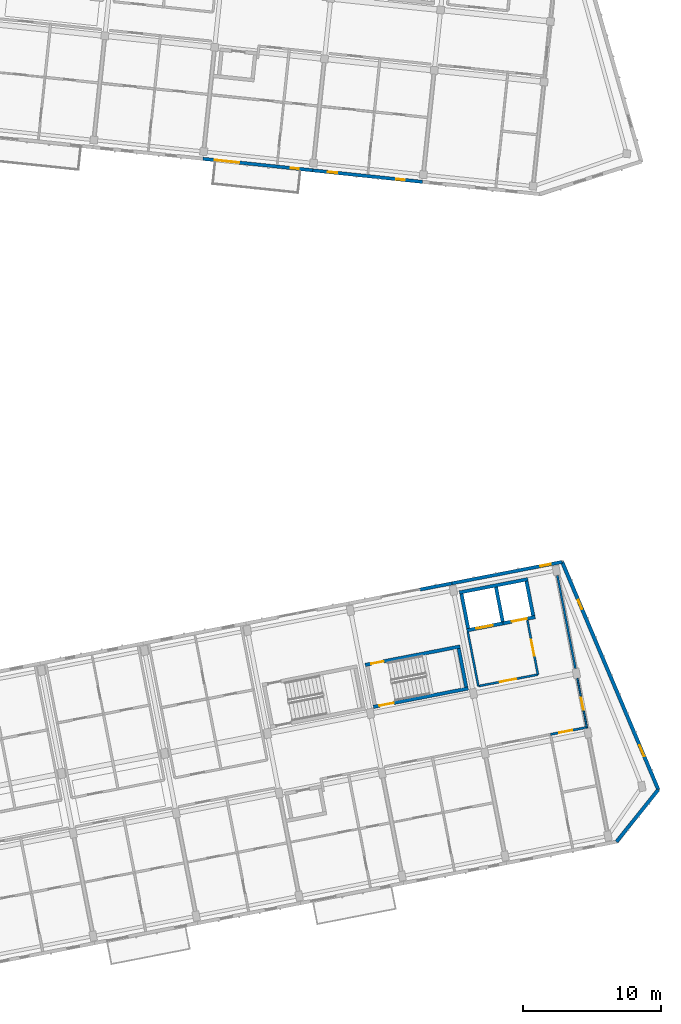
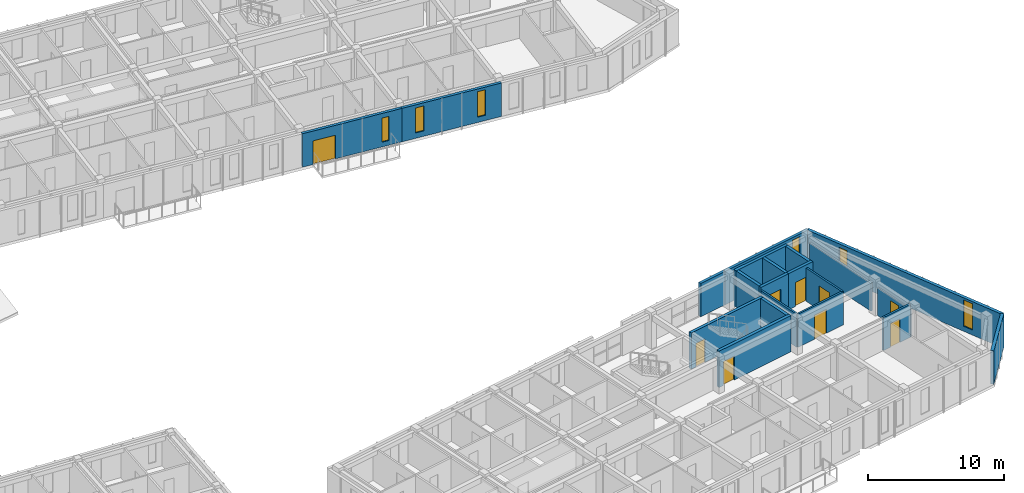
# One storey, part 33 of 74: 21 walls, 9 doors, 6 windows, 15 openings.
"""IFC4 building model written with IfcOpenShell, lengths in metres."""

from ifc_helpers import new_model, si_unit, direction, frame, frame_2d, origin, place, context, subcontext, project, spatial, rectangle, extrude, material, layer, layer_set, type_object, element, fill, save


model = new_model("IFC4")

# Units and contexts
model_context = context("Model", 3, precision=1e-05, world=origin(), true_north=direction((0.0, 1.0)))
body_context = subcontext(model_context, "Body", "Model", "MODEL_VIEW")
ifc_project = project(units=[si_unit("LENGTHUNIT", "METRE"), si_unit("AREAUNIT", "SQUARE_METRE"), si_unit("VOLUMEUNIT", "CUBIC_METRE"), si_unit("PLANEANGLEUNIT", "RADIAN"), si_unit("MASSUNIT", "GRAM", prefix="KILO")], contexts=[model_context])

# Site, building, storey
site_placement = place(None, origin())
site = spatial("IfcSite", under=ifc_project, at=site_placement, CompositionType="ELEMENT")
building_placement = place(site_placement, origin())
building = spatial("IfcBuilding", under=site, at=building_placement, Name="Kestramere Prow Commons", CompositionType="ELEMENT")
storey_placement = place(building_placement, frame((0.0, 0.0, 11.64990234375)))
storey = spatial("IfcBuildingStorey", under=building, at=storey_placement, Name="L03", CompositionType="ELEMENT", Elevation=11.64990234375)

# Wall, openings, windows
ifc_material_1 = material(Name="Weathered Zinc-Titanium Standing-Seam Cladding")
ifc_layer_1 = layer(ifc_material_1, 0.260009765625)
ifc_layer_set_1 = layer_set([ifc_layer_1], Name="Weathered Zinc-Titanium Standing-Seam Cladding")
wall_type_1 = type_object("IfcWallType", Name="EW-PROW-260", PredefinedType="SOLIDWALL", material=ifc_layer_set_1)
wall_1_placement = place(storey_placement, frame((159.83740234375, 62.556396484375, 0.0), z_axis=(0.0, 0.0, 1.0), x_axis=(0.389225507936, -0.921142499276, 0.0)))
wall_1 = element("IfcWall", 1, at=wall_1_placement, inside=storey, type_object=wall_type_1, Name="Block D L03 PRW-N Facet Wall", PredefinedType="SOLIDWALL", context=body_context, shape_type="SweptSolid", body=[
    extrude(rectangle(XDim=17.910400390625, YDim=0.260009765625, at=frame_2d((8.955078125, 0.0))), origin(), (0.0, 0.0, 1.0), 3.0),
])
opening_1_placement = place(wall_1_placement, frame((2.989990234375, 0.0, 0.52001953125)))
opening_1 = element("IfcOpeningElement", 2, at=opening_1_placement, cuts=wall_1, Name="Opening WN-08", PredefinedType="OPENING", context=body_context, shape_type="SweptSolid", body=[
    extrude(rectangle(XDim=0.719970703125, YDim=2.159912109375, at=frame_2d((0.35986328125, 1.080078125))), frame((0.0, 0.14501953125, 0.0), z_axis=(0.0, -1.0, 0.0), x_axis=(1.0, 0.0, 0.0)), (0.0, 0.0, 1.0), 0.2900390625),
])
opening_2_placement = place(wall_1_placement, frame((14.42041015625, 0.0, 0.449951171875)))
opening_2 = element("IfcOpeningElement", 3, at=opening_2_placement, cuts=wall_1, Name="Opening WN-15", PredefinedType="OPENING", context=body_context, shape_type="SweptSolid", body=[
    extrude(rectangle(XDim=0.860107421875, YDim=2.360107421875, at=frame_2d((0.43017578125, 1.18017578125))), frame((0.0, 0.14501953125, 0.0), z_axis=(0.0, -1.0, 0.0), x_axis=(1.0, 0.0, 0.0)), (0.0, 0.0, 1.0), 0.2900390625),
])
ifc_material_2 = material(Name="Low-E Laminated Double Glazing", Category="glass")
window_type_1 = type_object("IfcWindowType", Name="WN-NAR-720A", PartitioningType="SINGLE_PANEL", PredefinedType="WINDOW", material=ifc_material_2)
window_1_placement = place(opening_1_placement, origin())
window_1 = element("IfcWindow", 4, at=window_1_placement, inside=storey, type_object=window_type_1, Name="WN-D-L03-PRW-N-0", OverallHeight=2.159912109375, OverallWidth=0.719970703125, PartitioningType="SINGLE_PANEL", PredefinedType="WINDOW", context=body_context, shape_type="SweptSolid", body=[
    extrude(rectangle(XDim=0.719970703125, YDim=2.159912109375, at=frame_2d((0.35986328125, 1.080078125))), frame((0.0, 0.030029296875, 0.0), z_axis=(0.0, -1.0, 0.0), x_axis=(1.0, 0.0, 0.0)), (0.0, 0.0, 1.0), 0.06005859375),
])
fill(opening_1, window_1)
window_type_2 = type_object("IfcWindowType", Name="WN-NAR-860A", PartitioningType="DOUBLE_PANEL_VERTICAL", PredefinedType="WINDOW", material=ifc_material_2)
window_2_placement = place(opening_2_placement, origin())
window_2 = element("IfcWindow", 5, at=window_2_placement, inside=storey, type_object=window_type_2, Name="WN-D-L03-PRW-N-1", OverallHeight=2.360107421875, OverallWidth=0.860107421875, PartitioningType="SINGLE_PANEL", PredefinedType="WINDOW", context=body_context, shape_type="SweptSolid", body=[
    extrude(rectangle(XDim=0.860107421875, YDim=2.360107421875, at=frame_2d((0.43017578125, 1.18017578125))), frame((0.0, 0.030029296875, 0.0), z_axis=(0.0, -1.0, 0.0), x_axis=(1.0, 0.0, 0.0)), (0.0, 0.0, 1.0), 0.06005859375),
])
fill(opening_2, window_2)

# Wall
wall_2_placement = place(storey_placement, frame((166.80859375, 46.058349609375, 0.0), z_axis=(0.0, 0.0, 1.0), x_axis=(-0.626281072923, -0.779597343312, 0.0)))
element("IfcWall", 6, at=wall_2_placement, inside=storey, type_object=wall_type_1, Name="Block D L03 PRW-S Facet Wall", PredefinedType="SOLIDWALL", context=body_context, shape_type="SweptSolid", body=[
    extrude(rectangle(XDim=4.83935546875, YDim=0.260009765625, at=frame_2d((2.419677734375, 0.0))), origin(), (0.0, 0.0, 1.0), 3.0),
])

# Wall, openings, door, window
ifc_material_3 = material(Name="Fluoropolymer Standing-Seam Zinc-Aluminium Cladding", Category="aluminium")
ifc_layer_2 = layer(ifc_material_3, 0.239990234375)
ifc_layer_set_2 = layer_set([ifc_layer_2], Name="Fluoropolymer Standing-Seam Zinc-Aluminium Cladding")
wall_type_2 = type_object("IfcWallType", Name="EW-SEAM-240", PredefinedType="SOLIDWALL", material=ifc_layer_set_2)
wall_3_placement = place(storey_placement, frame((141.769775390625, 90.932861328125, 0.0), z_axis=(0.0, 0.0, 1.0), x_axis=(-0.994519156568, 0.104554517933, 0.0)))
wall_3 = element("IfcWall", 7, at=wall_3_placement, inside=storey, type_object=wall_type_2, Name="Block B L03 South Standing-Seam Wall 4", PredefinedType="SOLIDWALL", context=body_context, shape_type="SweptSolid", body=[
    extrude(rectangle(XDim=8.0, YDim=0.239990234375, at=frame_2d((4.0, 0.0))), origin(), (0.0, 0.0, 1.0), 3.0),
])
opening_3_placement = place(wall_3_placement, frame((5.344970703125, 0.0, 0.0)))
opening_3 = element("IfcOpeningElement", 8, at=opening_3_placement, cuts=wall_3, Name="Opening GD-BAL-02", PredefinedType="OPENING", context=body_context, shape_type="SweptSolid", body=[
    extrude(rectangle(XDim=1.800048828125, YDim=2.1201171875, at=frame_2d((0.89990234375, 1.06005859375))), frame((0.0, 0.135009765625, 0.0), z_axis=(0.0, -1.0, 0.0), x_axis=(1.0, 0.0, 0.0)), (0.0, 0.0, 1.0), 0.27001953125),
])
opening_4_placement = place(wall_3_placement, frame((1.030029296875, 0.0, 0.419921875)))
opening_4 = element("IfcOpeningElement", 9, at=opening_4_placement, cuts=wall_3, Name="Opening WN-01", PredefinedType="OPENING", context=body_context, shape_type="SweptSolid", body=[
    extrude(rectangle(XDim=0.580078125, YDim=2.159912109375, at=frame_2d((0.2900390625, 1.080078125))), frame((0.0, 0.135009765625, 0.0), z_axis=(0.0, -1.0, 0.0), x_axis=(1.0, 0.0, 0.0)), (0.0, 0.0, 1.0), 0.27001953125),
])
ifc_material_4 = material(Name="Thermally-Broken Anodised Aluminium Glazed", Category="aluminium")
door_type_1 = type_object("IfcDoorType", Name="GD-BAL-1800", OperationType="SLIDING_TO_LEFT", PredefinedType="DOOR", material=ifc_material_4)
door_1_placement = place(opening_3_placement, origin())
door_1 = element("IfcDoor", 10, at=door_1_placement, inside=storey, type_object=door_type_1, Name="Block B L03 Balcony Door 4", OperationType="SLIDING_TO_LEFT", OverallHeight=2.1201171875, OverallWidth=1.800048828125, PredefinedType="DOOR", context=body_context, shape_type="SweptSolid", body=[
    extrude(rectangle(XDim=1.800048828125, YDim=2.1201171875, at=frame_2d((0.89990234375, 1.06005859375))), frame((0.0, 0.02490234375, 0.0), z_axis=(0.0, -1.0, 0.0), x_axis=(1.0, 0.0, 0.0)), (0.0, 0.0, 1.0), 0.050048828125),
])
fill(opening_3, door_1)
window_type_3 = type_object("IfcWindowType", Name="WN-NAR-580A", PartitioningType="SINGLE_PANEL", PredefinedType="WINDOW", material=ifc_material_2)
window_3_placement = place(opening_4_placement, origin())
window_3 = element("IfcWindow", 11, at=window_3_placement, inside=storey, type_object=window_type_3, Name="WN-B-L03-SR-3", OverallHeight=2.159912109375, OverallWidth=0.580078125, PartitioningType="SINGLE_PANEL", PredefinedType="WINDOW", context=body_context, shape_type="SweptSolid", body=[
    extrude(rectangle(XDim=0.580078125, YDim=2.159912109375, at=frame_2d((0.2900390625, 1.080078125))), frame((0.0, 0.030029296875, 0.0), z_axis=(0.0, -1.0, 0.0), x_axis=(1.0, 0.0, 0.0)), (0.0, 0.0, 1.0), 0.06005859375),
])
fill(opening_4, window_3)

# Wall, openings, windows
wall_4_placement = place(storey_placement, frame((149.72607421875, 90.0966796875, 0.0), z_axis=(0.0, 0.0, 1.0), x_axis=(-0.994522662826, 0.104521161134, 0.0)))
wall_4 = element("IfcWall", 12, at=wall_4_placement, inside=storey, type_object=wall_type_2, Name="Block B L03 South Standing-Seam Wall 5", PredefinedType="SOLIDWALL", context=body_context, shape_type="SweptSolid", body=[
    extrude(rectangle(XDim=8.0, YDim=0.239990234375, at=frame_2d((4.0, 0.0))), origin(), (0.0, 0.0, 1.0), 3.0),
])
opening_5_placement = place(wall_4_placement, frame((1.3017578125, 0.0, 0.47998046875)))
opening_5 = element("IfcOpeningElement", 13, at=opening_5_placement, cuts=wall_4, Name="Opening WN-03", PredefinedType="OPENING", context=body_context, shape_type="SweptSolid", body=[
    extrude(rectangle(XDim=0.6201171875, YDim=2.280029296875, at=frame_2d((0.31005859375, 1.14013671875))), frame((0.0, 0.135009765625, 0.0), z_axis=(0.0, -1.0, 0.0), x_axis=(1.0, 0.0, 0.0)), (0.0, 0.0, 1.0), 0.27001953125),
])
opening_6_placement = place(wall_4_placement, frame((6.21630859375, 0.0, 0.47998046875)))
opening_6 = element("IfcOpeningElement", 14, at=opening_6_placement, cuts=wall_4, Name="Opening WN-06", PredefinedType="OPENING", context=body_context, shape_type="SweptSolid", body=[
    extrude(rectangle(XDim=0.679931640625, YDim=2.239990234375, at=frame_2d((0.33984375, 1.1201171875))), frame((0.0, 0.135009765625, 0.0), z_axis=(0.0, -1.0, 0.0), x_axis=(1.0, 0.0, 0.0)), (0.0, 0.0, 1.0), 0.27001953125),
])
window_type_4 = type_object("IfcWindowType", Name="WN-NAR-620A", PartitioningType="SINGLE_PANEL", PredefinedType="WINDOW", material=ifc_material_2)
window_4_placement = place(opening_5_placement, origin())
window_4 = element("IfcWindow", 15, at=window_4_placement, inside=storey, type_object=window_type_4, Name="WN-B-L03-S-4-00", OverallHeight=2.280029296875, OverallWidth=0.6201171875, PartitioningType="SINGLE_PANEL", PredefinedType="WINDOW", context=body_context, shape_type="SweptSolid", body=[
    extrude(rectangle(XDim=0.6201171875, YDim=2.280029296875, at=frame_2d((0.31005859375, 1.14013671875))), frame((0.0, 0.030029296875, 0.0), z_axis=(0.0, -1.0, 0.0), x_axis=(1.0, 0.0, 0.0)), (0.0, 0.0, 1.0), 0.06005859375),
])
fill(opening_5, window_4)
window_type_5 = type_object("IfcWindowType", Name="WN-NAR-680A", PartitioningType="SINGLE_PANEL", PredefinedType="WINDOW", material=ifc_material_2)
window_5_placement = place(opening_6_placement, origin())
window_5 = element("IfcWindow", 16, at=window_5_placement, inside=storey, type_object=window_type_5, Name="WN-B-L03-S-4-10", OverallHeight=2.239990234375, OverallWidth=0.679931640625, PartitioningType="SINGLE_PANEL", PredefinedType="WINDOW", context=body_context, shape_type="SweptSolid", body=[
    extrude(rectangle(XDim=0.679931640625, YDim=2.239990234375, at=frame_2d((0.33984375, 1.1201171875))), frame((0.0, 0.030029296875, 0.0), z_axis=(0.0, -1.0, 0.0), x_axis=(1.0, 0.0, 0.0)), (0.0, 0.0, 1.0), 0.06005859375),
])
fill(opening_6, window_5)

# Wall
wall_5_placement = place(storey_placement, frame((149.530517578125, 60.552734375, 0.0), z_axis=(0.0, 0.0, 1.0), x_axis=(0.98161057432, 0.190894422087, 0.0)))
element("IfcWall", 17, at=wall_5_placement, inside=storey, type_object=wall_type_2, Name="Block D L03 North Standing-Seam Pier 5R", PredefinedType="SOLIDWALL", context=body_context, shape_type="SweptSolid", body=[
    extrude(rectangle(XDim=2.375, YDim=0.239990234375, at=frame_2d((1.1875, 0.0))), origin(), (0.0, 0.0, 1.0), 3.0),
])

# Wall, opening, window
wall_6_placement = place(storey_placement, frame((151.86181640625, 61.006103515625, 0.0), z_axis=(0.0, 0.0, 1.0), x_axis=(0.981627273155, 0.190808533872, 0.0)))
wall_6 = element("IfcWall", 18, at=wall_6_placement, inside=storey, type_object=wall_type_2, Name="Block D L03 North Standing-Seam Wall 6", PredefinedType="SOLIDWALL", context=body_context, shape_type="SweptSolid", body=[
    extrude(rectangle(XDim=8.124755859375, YDim=0.239990234375, at=frame_2d((4.0625, 0.0))), origin(), (0.0, 0.0, 1.0), 3.0),
])
opening_7_placement = place(wall_6_placement, frame((6.52490234375, 0.0, 0.449951171875)))
opening_7 = element("IfcOpeningElement", 19, at=opening_7_placement, cuts=wall_6, Name="Opening WN-19", PredefinedType="OPENING", context=body_context, shape_type="SweptSolid", body=[
    extrude(rectangle(XDim=0.75, YDim=2.320068359375, at=frame_2d((0.375, 1.16015625))), frame((0.0, 0.135009765625, 0.0), z_axis=(0.0, -1.0, 0.0), x_axis=(1.0, 0.0, 0.0)), (0.0, 0.0, 1.0), 0.27001953125),
])
window_type_6 = type_object("IfcWindowType", Name="WN-CLER-1800", PartitioningType="SINGLE_PANEL", PredefinedType="WINDOW", material=ifc_material_2)
window_6_placement = place(opening_7_placement, origin())
window_6 = element("IfcWindow", 20, at=window_6_placement, inside=storey, type_object=window_type_6, Name="Block D L03 Core Lobby Slot Window", OverallHeight=2.320068359375, OverallWidth=0.75, PartitioningType="SINGLE_PANEL", PredefinedType="WINDOW", context=body_context, shape_type="SweptSolid", body=[
    extrude(rectangle(XDim=0.75, YDim=2.320068359375, at=frame_2d((0.375, 1.16015625))), frame((0.0, 0.030029296875, 0.0), z_axis=(0.0, -1.0, 0.0), x_axis=(1.0, 0.0, 0.0)), (0.0, 0.0, 1.0), 0.06005859375),
])
fill(opening_7, window_6)

# Wall
ifc_material_5 = material(Name="Concrete C40/50", Category="concrete")
ifc_layer_3 = layer(ifc_material_5, 0.25)
ifc_layer_set_3 = layer_set([ifc_layer_3], Name="Concrete C40/50")
wall_type_3 = type_object("IfcWallType", Name="W-CORE-250", PredefinedType="SHEAR", material=ifc_layer_set_3)
wall_7_placement = place(storey_placement, frame((152.3974609375, 60.34619140625, 0.0), z_axis=(0.0, 0.0, 1.0), x_axis=(0.981635261308, 0.190767433692, 0.0)))
element("IfcWall", 21, at=wall_7_placement, inside=storey, type_object=wall_type_3, Name="Block D L03 Lift Core Back Wall", PredefinedType="SHEAR", context=body_context, shape_type="SweptSolid", body=[
    extrude(rectangle(XDim=5.050048828125, YDim=0.25, at=frame_2d((2.52490234375, 0.0))), origin(), (0.0, 0.0, 1.0), 3.25),
])

# Wall, opening, door
wall_8_placement = place(storey_placement, frame((152.931884765625, 57.59765625, 0.0), z_axis=(0.0, 0.0, 1.0), x_axis=(0.981636759622, 0.190759723627, 0.0)))
wall_8 = element("IfcWall", 22, at=wall_8_placement, inside=storey, type_object=wall_type_3, Name="Block D L03 Fire Lift Shaft Front Wall", PredefinedType="SHEAR", context=body_context, shape_type="SweptSolid", body=[
    extrude(rectangle(XDim=2.6748046875, YDim=0.25, at=frame_2d((1.33740234375, 0.0))), origin(), (0.0, 0.0, 1.0), 3.25),
])
opening_8_placement = place(wall_8_placement, frame((0.719970703125, 0.0, 0.0)))
opening_8 = element("IfcOpeningElement", 23, at=opening_8_placement, cuts=wall_8, Name="Opening LD-02", PredefinedType="OPENING", context=body_context, shape_type="SweptSolid", body=[
    extrude(rectangle(XDim=1.199951171875, YDim=2.199951171875, at=frame_2d((0.60009765625, 1.10009765625))), frame((0.0, 0.139892578125, 0.0), z_axis=(0.0, -1.0, 0.0), x_axis=(1.0, 0.0, 0.0)), (0.0, 0.0, 1.0), 0.280029296875),
])
ifc_material_6 = material(Name="Brushed Stainless Steel 316", Category="steel")
door_type_2 = type_object("IfcDoorType", Name="LD-02", OperationType="DOUBLE_DOOR_SLIDING", PredefinedType="DOOR", material=ifc_material_6)
door_2_placement = place(opening_8_placement, origin())
door_2 = element("IfcDoor", 24, at=door_2_placement, inside=storey, type_object=door_type_2, Name="FL-D1 L03 Lift Landing Door", OperationType="DOUBLE_DOOR_SLIDING", OverallHeight=2.199951171875, OverallWidth=1.199951171875, PredefinedType="DOOR", context=body_context, shape_type="SweptSolid", body=[
    extrude(rectangle(XDim=1.199951171875, YDim=2.199951171875, at=frame_2d((0.60009765625, 1.10009765625))), frame((0.0, 0.02490234375, 0.0), z_axis=(0.0, -1.0, 0.0), x_axis=(1.0, 0.0, 0.0)), (0.0, 0.0, 1.0), 0.050048828125),
])
fill(opening_8, door_2)

wall_9_placement = place(storey_placement, frame((155.5576171875, 58.10791015625, 0.0), z_axis=(0.0, 0.0, 1.0), x_axis=(0.981633573872, 0.190776116556, 0.0)))
wall_9 = element("IfcWall", 25, at=wall_9_placement, inside=storey, type_object=wall_type_3, Name="Block D L03 Passenger Lift Shaft Front Wall", PredefinedType="SHEAR", context=body_context, shape_type="SweptSolid", body=[
    extrude(rectangle(XDim=2.375244140625, YDim=0.25, at=frame_2d((1.1875, 0.0))), origin(), (0.0, 0.0, 1.0), 3.25),
])
opening_9_placement = place(wall_9_placement, frame((0.64990234375, 0.0, 0.0)))
opening_9 = element("IfcOpeningElement", 26, at=opening_9_placement, cuts=wall_9, Name="Opening LD-01", PredefinedType="OPENING", context=body_context, shape_type="SweptSolid", body=[
    extrude(rectangle(XDim=1.10009765625, YDim=2.14990234375, at=frame_2d((0.550048828125, 1.074951171875))), frame((0.0, 0.139892578125, 0.0), z_axis=(0.0, -1.0, 0.0), x_axis=(1.0, 0.0, 0.0)), (0.0, 0.0, 1.0), 0.280029296875),
])
ifc_material_7 = material(Name="Brushed Stainless Steel 304", Category="steel")
door_type_3 = type_object("IfcDoorType", Name="LD-01", OperationType="DOUBLE_DOOR_SLIDING", PredefinedType="DOOR", material=ifc_material_7)
door_3_placement = place(opening_9_placement, origin())
door_3 = element("IfcDoor", 27, at=door_3_placement, inside=storey, type_object=door_type_3, Name="PL-D2 L03 Lift Landing Door", OperationType="DOUBLE_DOOR_SLIDING", OverallHeight=2.14990234375, OverallWidth=1.10009765625, PredefinedType="DOOR", context=body_context, shape_type="SweptSolid", body=[
    extrude(rectangle(XDim=1.10009765625, YDim=2.14990234375, at=frame_2d((0.550048828125, 1.074951171875))), frame((0.0, 0.02490234375, 0.0), z_axis=(0.0, -1.0, 0.0), x_axis=(1.0, 0.0, 0.0)), (0.0, 0.0, 1.0), 0.050048828125),
])
fill(opening_9, door_3)

# Walls
for number, where, z_axis, x_axis, name in (
    (28, (153.03076171875, 57.744140625, 0.0), (0.0, 0.0, 1.0), (-0.190810719655, 0.98162684828, 0.0), "Block D L03 Lift Core Side Wall L"),
    (29, (155.533935546875, 58.230712890625, 0.0), (0.0, 0.0, 1.0), (-0.190810719655, 0.98162684828, 0.0), "Block D L03 Lift Core Side Wall M"),
    (30, (157.742431640625, 58.659912109375, 0.0), (0.0, 0.0, 1.0), (-0.190810719655, 0.98162684828, 0.0), "Block D L03 Lift Core Side Wall R"),
):
    element("IfcWall", number, at=place(storey_placement, frame(where, z_axis=z_axis, x_axis=x_axis)), inside=storey, type_object=wall_type_3, Name=name, PredefinedType="SHEAR", context=body_context, shape_type="SweptSolid", body=[
        extrude(rectangle(XDim=2.550048828125, YDim=0.25, at=frame_2d((1.27490234375, 0.0))), origin(), (0.0, 0.0, 1.0), 3.25),
    ])

# Wall, opening, door
wall_10_placement = place(storey_placement, frame((145.57373046875, 55.09765625, 0.0), z_axis=(0.0, 0.0, 1.0), x_axis=(0.981626097708, 0.19081458094, 0.0)))
wall_10 = element("IfcWall", 31, at=wall_10_placement, inside=storey, type_object=wall_type_3, Name="ST-D2 L03 North Shaft Wall", PredefinedType="SHEAR", context=body_context, shape_type="SweptSolid", body=[
    extrude(rectangle(XDim=7.0, YDim=0.25, at=frame_2d((3.5, 0.0))), origin(), (0.0, 0.0, 1.0), 3.25),
])
opening_10_placement = place(wall_10_placement, frame((0.449951171875, 0.0, 0.0)))
opening_10 = element("IfcOpeningElement", 32, at=opening_10_placement, cuts=wall_10, Name="Opening ID-08", PredefinedType="OPENING", context=body_context, shape_type="SweptSolid", body=[
    extrude(rectangle(XDim=0.89990234375, YDim=2.10009765625, at=frame_2d((0.449951171875, 1.050048828125))), frame((0.0, 0.139892578125, 0.0), z_axis=(0.0, -1.0, 0.0), x_axis=(1.0, 0.0, 0.0)), (0.0, 0.0, 1.0), 0.280029296875),
])
ifc_material_8 = material(Name="Engineered Timber Flush Door", Category="wood")
door_type_4 = type_object("IfcDoorType", Name="D-RM-01", OperationType="NOTDEFINED", PredefinedType="DOOR", material=ifc_material_8)
door_4_placement = place(opening_10_placement, origin())
door_4 = element("IfcDoor", 33, at=door_4_placement, inside=storey, type_object=door_type_4, Name="ST-D2 L03 North Room Door", OperationType="SINGLE_SWING_RIGHT", OverallHeight=2.10009765625, OverallWidth=0.89990234375, PredefinedType="DOOR", context=body_context, shape_type="SweptSolid", body=[
    extrude(rectangle(XDim=0.89990234375, YDim=2.10009765625, at=frame_2d((0.449951171875, 1.050048828125))), frame((0.0, 0.02490234375, 0.0), z_axis=(0.0, -1.0, 0.0), x_axis=(1.0, 0.0, 0.0)), (0.0, 0.0, 1.0), 0.050048828125),
])
fill(opening_10, door_4)

wall_11_placement = place(storey_placement, frame((146.1650390625, 52.054443359375, 0.0), z_axis=(0.0, 0.0, 1.0), x_axis=(0.981627367538, 0.190808048312, 0.0)))
wall_11 = element("IfcWall", 34, at=wall_11_placement, inside=storey, type_object=wall_type_3, Name="ST-D2 L03 Corridor Shaft Wall", PredefinedType="SHEAR", context=body_context, shape_type="SweptSolid", body=[
    extrude(rectangle(XDim=7.000244140625, YDim=0.25, at=frame_2d((3.5, 0.0))), origin(), (0.0, 0.0, 1.0), 3.25),
])
opening_11_placement = place(wall_11_placement, frame((0.449951171875, 0.0, 0.0)))
opening_11 = element("IfcOpeningElement", 35, at=opening_11_placement, cuts=wall_11, Name="Opening ID-01", PredefinedType="OPENING", context=body_context, shape_type="SweptSolid", body=[
    extrude(rectangle(XDim=1.050048828125, YDim=2.14990234375, at=frame_2d((0.52490234375, 1.074951171875))), frame((0.0, 0.139892578125, 0.0), z_axis=(0.0, -1.0, 0.0), x_axis=(1.0, 0.0, 0.0)), (0.0, 0.0, 1.0), 0.280029296875),
])
ifc_material_9 = material(Name="Fire-Rated Timber and Steel Frame", Category="steel")
door_type_5 = type_object("IfcDoorType", Name="FD-ST-01", OperationType="NOTDEFINED", PredefinedType="DOOR", material=ifc_material_9)
door_5_placement = place(opening_11_placement, origin())
door_5 = element("IfcDoor", 36, at=door_5_placement, inside=storey, type_object=door_type_5, Name="ST-D2 L03 Protected Stair Door", OperationType="SINGLE_SWING_RIGHT", OverallHeight=2.14990234375, OverallWidth=1.050048828125, PredefinedType="DOOR", context=body_context, shape_type="SweptSolid", body=[
    extrude(rectangle(XDim=1.050048828125, YDim=2.14990234375, at=frame_2d((0.52490234375, 1.074951171875))), frame((0.0, 0.02490234375, 0.0), z_axis=(0.0, -1.0, 0.0), x_axis=(1.0, 0.0, 0.0)), (0.0, 0.0, 1.0), 0.050048828125),
])
fill(opening_11, door_5)

# Wall
wall_12_placement = place(storey_placement, frame((152.889892578125, 53.489013671875, 0.0), z_axis=(0.0, 0.0, 1.0), x_axis=(-0.190775649797, 0.981633664584, 0.0)))
element("IfcWall", 37, at=wall_12_placement, inside=storey, type_object=wall_type_3, Name="ST-D2 L03 Far Shaft Wall", PredefinedType="SHEAR", context=body_context, shape_type="SweptSolid", body=[
    extrude(rectangle(XDim=2.849853515625, YDim=0.25, at=frame_2d((1.4248046875, 0.0))), origin(), (0.0, 0.0, 1.0), 3.25),
])

# Wall, opening, door
ifc_material_10 = material(Name="Fire-Rated Calcium Silicate Wall")
ifc_layer_4 = layer(ifc_material_10, 0.155029296875)
ifc_layer_set_4 = layer_set([ifc_layer_4], Name="Fire-Rated Calcium Silicate Wall")
wall_type_4 = type_object("IfcWallType", Name="W-FIRE-150", PredefinedType="PARTITIONING", material=ifc_layer_set_4)
wall_13_placement = place(storey_placement, frame((153.76806640625, 53.557861328125, 0.0), z_axis=(0.0, 0.0, 1.0), x_axis=(0.981624918225, 0.190820648566, 0.0)))
wall_13 = element("IfcWall", 38, at=wall_13_placement, inside=storey, type_object=wall_type_4, Name="Interior Partition PW-D-L03-FFL-S", PredefinedType="PARTITIONING", context=body_context, shape_type="SweptSolid", body=[
    extrude(rectangle(XDim=4.39990234375, YDim=0.155029296875, at=frame_2d((2.199951171875, 0.0))), origin(), (0.0, 0.0, 1.0), 2.97021484375),
])
opening_12_placement = place(wall_13_placement, frame((1.60009765625, 0.0, 0.0)))
opening_12 = element("IfcOpeningElement", 39, at=opening_12_placement, cuts=wall_13, Name="Opening ID-03", PredefinedType="OPENING", context=body_context, shape_type="SweptSolid", body=[
    extrude(rectangle(XDim=1.179931640625, YDim=2.14990234375, at=frame_2d((0.58984375, 1.074951171875))), frame((0.0, 0.092529296875, 0.0), z_axis=(0.0, -1.0, 0.0), x_axis=(1.0, 0.0, 0.0)), (0.0, 0.0, 1.0), 0.18505859375),
])
ifc_material_11 = material(Name="Fire-Rated Glazed Smoke-Stop Door")
door_type_6 = type_object("IfcDoorType", Name="FD-LB-01", OperationType="NOTDEFINED", PredefinedType="DOOR", material=ifc_material_11)
door_6_placement = place(opening_12_placement, origin())
door_6 = element("IfcDoor", 40, at=door_6_placement, inside=storey, type_object=door_type_6, Name="Interior Door DR-D-L03-FFL", OperationType="SINGLE_SWING_RIGHT", OverallHeight=2.14990234375, OverallWidth=1.179931640625, PredefinedType="DOOR", context=body_context, shape_type="SweptSolid", body=[
    extrude(rectangle(XDim=1.179931640625, YDim=2.14990234375, at=frame_2d((0.58984375, 1.074951171875))), frame((0.0, 0.02490234375, 0.0), z_axis=(0.0, -1.0, 0.0), x_axis=(1.0, 0.0, 0.0)), (0.0, 0.0, 1.0), 0.050048828125),
])
fill(opening_12, door_6)

# Wall
wall_14_placement = place(storey_placement, frame((153.76806640625, 53.557861328125, 0.0), z_axis=(0.0, 0.0, 1.0), x_axis=(-0.19085495634, 0.981618248425, 0.0)))
element("IfcWall", 41, at=wall_14_placement, inside=storey, type_object=wall_type_4, Name="Interior Partition PW-D-L03-FFL-W", PredefinedType="PARTITIONING", context=body_context, shape_type="SweptSolid", body=[
    extrude(rectangle(XDim=4.0, YDim=0.155029296875, at=frame_2d((2.0, 0.0))), origin(), (0.0, 0.0, 1.0), 2.97021484375),
])

# Wall, opening, door
wall_15_placement = place(storey_placement, frame((158.087158203125, 54.3974609375, 0.0), z_axis=(0.0, 0.0, 1.0), x_axis=(-0.190796144009, 0.981629681413, 0.0)))
wall_15 = element("IfcWall", 42, at=wall_15_placement, inside=storey, type_object=wall_type_4, Name="Interior Partition PW-D-L03-FFL-E", PredefinedType="PARTITIONING", context=body_context, shape_type="SweptSolid", body=[
    extrude(rectangle(XDim=4.0, YDim=0.155029296875, at=frame_2d((2.0, 0.0))), origin(), (0.0, 0.0, 1.0), 2.97021484375),
])
opening_13_placement = place(wall_15_placement, frame((1.39990234375, 0.0, 0.0)))
opening_13 = element("IfcOpeningElement", 43, at=opening_13_placement, cuts=wall_15, Name="Opening ID-03", PredefinedType="OPENING", context=body_context, shape_type="SweptSolid", body=[
    extrude(rectangle(XDim=1.179931640625, YDim=2.14990234375, at=frame_2d((0.58984375, 1.074951171875))), frame((0.0, 0.092529296875, 0.0), z_axis=(0.0, -1.0, 0.0), x_axis=(1.0, 0.0, 0.0)), (0.0, 0.0, 1.0), 0.18505859375),
])
door_7_placement = place(opening_13_placement, origin())
door_7 = element("IfcDoor", 44, at=door_7_placement, inside=storey, type_object=door_type_6, Name="Interior Door DR-D-L03-FFL-PL", OperationType="SINGLE_SWING_LEFT", OverallHeight=2.14990234375, OverallWidth=1.179931640625, PredefinedType="DOOR", context=body_context, shape_type="SweptSolid", body=[
    extrude(rectangle(XDim=1.179931640625, YDim=2.14990234375, at=frame_2d((0.58984375, 1.074951171875))), frame((0.0, 0.02490234375, 0.0), z_axis=(0.0, -1.0, 0.0), x_axis=(1.0, 0.0, 0.0)), (0.0, 0.0, 1.0), 0.050048828125),
])
fill(opening_13, door_7)

ifc_material_12 = material(Name="Lightweight Blockwork and Plaster", Category="masonry")
ifc_layer_5 = layer(ifc_material_12, 0.1201171875)
ifc_layer_set_5 = layer_set([ifc_layer_5], Name="Lightweight Blockwork and Plaster")
wall_type_5 = type_object("IfcWallType", Name="W-PART-120", PredefinedType="PARTITIONING", material=ifc_layer_set_5)
wall_16_placement = place(storey_placement, frame((161.643310546875, 50.5146484375, 0.0), z_axis=(0.0, 0.0, 1.0), x_axis=(-0.190805731561, 0.981627817864, 0.0)))
wall_16 = element("IfcWall", 45, at=wall_16_placement, inside=storey, type_object=wall_type_5, Name="Interior Partition PW-D-L03-PROW-ACC", PredefinedType="PARTITIONING", context=body_context, shape_type="SweptSolid", body=[
    extrude(rectangle(XDim=3.679931640625, YDim=0.1201171875, at=frame_2d((1.83984375, 0.0))), origin(), (0.0, 0.0, 1.0), 2.5),
])
opening_14_placement = place(wall_16_placement, frame((1.35009765625, 0.0, 0.0)))
opening_14 = element("IfcOpeningElement", 46, at=opening_14_placement, cuts=wall_16, Name="Opening ID-08", PredefinedType="OPENING", context=body_context, shape_type="SweptSolid", body=[
    extrude(rectangle(XDim=0.89990234375, YDim=2.10009765625, at=frame_2d((0.449951171875, 1.050048828125))), frame((0.0, 0.074951171875, 0.0), z_axis=(0.0, -1.0, 0.0), x_axis=(1.0, 0.0, 0.0)), (0.0, 0.0, 1.0), 0.150146484375),
])
door_8_placement = place(opening_14_placement, origin())
door_8 = element("IfcDoor", 47, at=door_8_placement, inside=storey, type_object=door_type_4, Name="Interior Door DR-D-L03-PROW", OperationType="SINGLE_SWING_LEFT", OverallHeight=2.10009765625, OverallWidth=0.89990234375, PredefinedType="DOOR", context=body_context, shape_type="SweptSolid", body=[
    extrude(rectangle(XDim=0.89990234375, YDim=2.10009765625, at=frame_2d((0.449951171875, 1.050048828125))), frame((0.0, 0.02490234375, 0.0), z_axis=(0.0, -1.0, 0.0), x_axis=(1.0, 0.0, 0.0)), (0.0, 0.0, 1.0), 0.050048828125),
])
fill(opening_14, door_8)

# Wall
ifc_material_13 = material(Name="Masonry Compartment Wall", Category="masonry")
ifc_layer_6 = layer(ifc_material_13, 0.14990234375)
ifc_layer_set_6 = layer_set([ifc_layer_6], Name="Masonry Compartment Wall")
wall_type_6 = type_object("IfcWallType", Name="W-PART-150", PredefinedType="PARTITIONING", material=ifc_layer_set_6)
wall_17_placement = place(storey_placement, frame((160.8037109375, 54.833740234375, 0.0), z_axis=(0.0, 0.0, 1.0), x_axis=(-0.190804123115, 0.981628130507, 0.0)))
element("IfcWall", 48, at=wall_17_placement, inside=storey, type_object=wall_type_6, Name="Interior Partition PW-D-L03-PRW-N", PredefinedType="PARTITIONING", context=body_context, shape_type="SweptSolid", body=[
    extrude(rectangle(XDim=6.880126953125, YDim=0.14990234375, at=frame_2d((3.43994140625, 0.0))), origin(), (0.0, 0.0, 1.0), 2.5),
])

# Wall, opening, door
ifc_material_14 = material(Name="Waterproof Sanitary Masonry Wall", Category="masonry")
ifc_layer_7 = layer(ifc_material_14, 0.1650390625)
ifc_layer_set_7 = layer_set([ifc_layer_7], Name="Waterproof Sanitary Masonry Wall")
wall_type_7 = type_object("IfcWallType", Name="W-PLUMB-150", PredefinedType="PLUMBINGWALL", material=ifc_layer_set_7)
wall_18_placement = place(storey_placement, frame((159.001220703125, 50.062255859375, 0.0), z_axis=(0.0, 0.0, 1.0), x_axis=(0.981624151626, 0.190824592083, 0.0)))
wall_18 = element("IfcWall", 49, at=wall_18_placement, inside=storey, type_object=wall_type_7, Name="Interior Partition PW-D-L03-CS-5B", PredefinedType="PLUMBINGWALL", context=body_context, shape_type="SweptSolid", body=[
    extrude(rectangle(XDim=2.60986328125, YDim=0.1650390625, at=frame_2d((1.304931640625, 0.0))), origin(), (0.0, 0.0, 1.0), 2.97021484375),
])
opening_15_placement = place(wall_18_placement, frame((0.64990234375, 0.0, 0.0)))
opening_15 = element("IfcOpeningElement", 50, at=opening_15_placement, cuts=wall_18, Name="Opening ID-13", PredefinedType="OPENING", context=body_context, shape_type="SweptSolid", body=[
    extrude(rectangle(XDim=0.9599609375, YDim=2.1201171875, at=frame_2d((0.47998046875, 1.06005859375))), frame((0.0, 0.097412109375, 0.0), z_axis=(0.0, -1.0, 0.0), x_axis=(1.0, 0.0, 0.0)), (0.0, 0.0, 1.0), 0.195068359375),
])
ifc_material_15 = material(Name="Accessible Wide-Leaf Timber Door", Category="wood")
door_type_7 = type_object("IfcDoorType", Name="D-ACC-01", OperationType="NOTDEFINED", PredefinedType="DOOR", material=ifc_material_15)
door_9_placement = place(opening_15_placement, origin())
door_9 = element("IfcDoor", 51, at=door_9_placement, inside=storey, type_object=door_type_7, Name="Interior Door DR-D-L03-SKWC-5", OperationType="SINGLE_SWING_RIGHT", OverallHeight=2.1201171875, OverallWidth=0.9599609375, PredefinedType="DOOR", context=body_context, shape_type="SweptSolid", body=[
    extrude(rectangle(XDim=0.9599609375, YDim=2.1201171875, at=frame_2d((0.47998046875, 1.06005859375))), frame((0.0, 0.02490234375, 0.0), z_axis=(0.0, -1.0, 0.0), x_axis=(1.0, 0.0, 0.0)), (0.0, 0.0, 1.0), 0.050048828125),
])
fill(opening_15, door_9)

save(model, "model.ifc")
